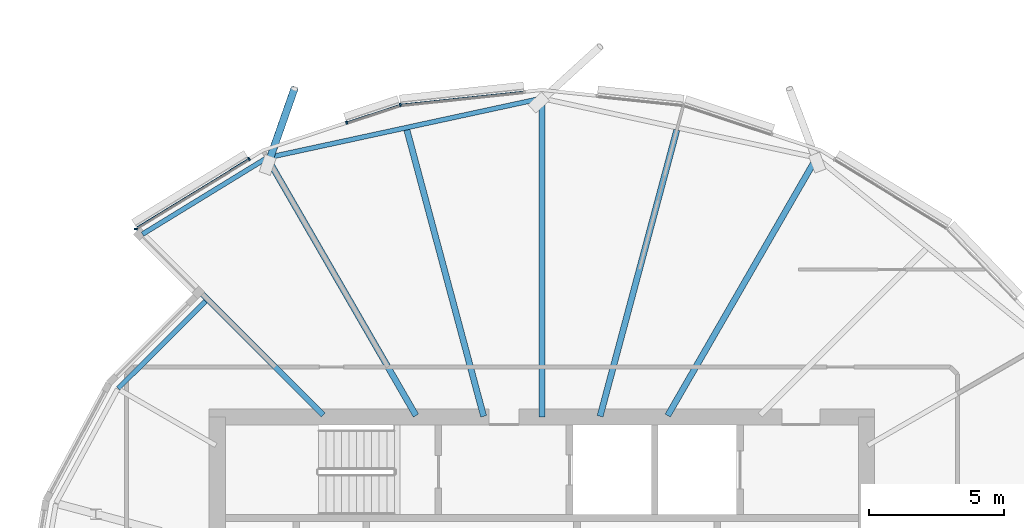
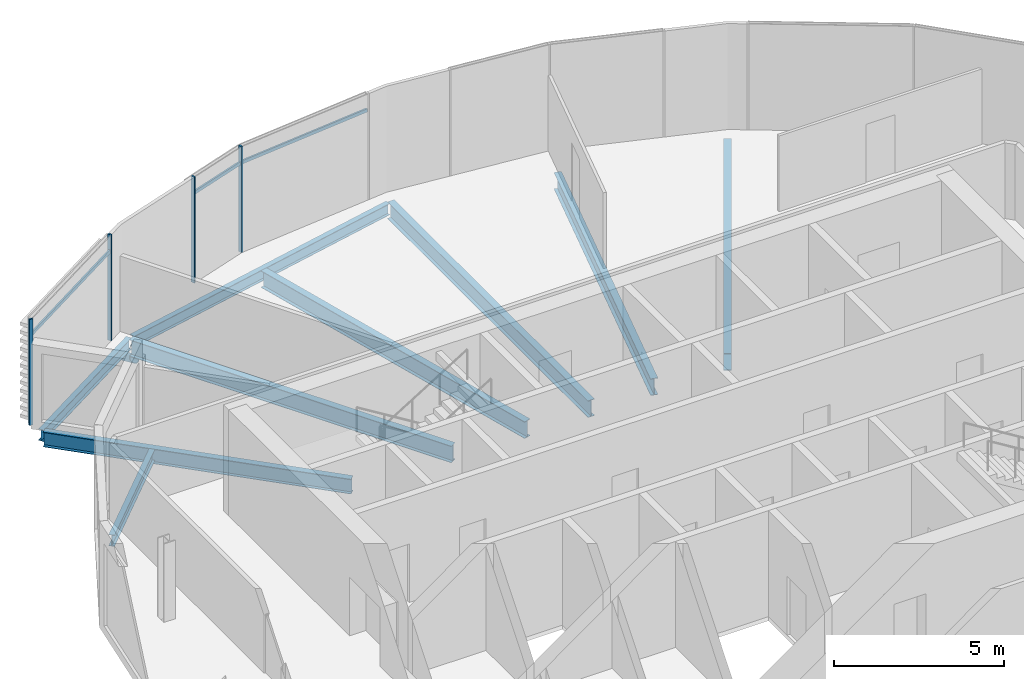
# One storey, part 10 of 37: 9 beams, 8 members, 1 element without a shape of its own.
"""IFC4 building model written with IfcOpenShell, lengths in metres."""

import ifcopenshell
import ifcopenshell.guid

model = None  # the IFC model being written
_history = None  # IfcOwnerHistory: only IFC2X3 demands one
_inside = {}  # id of a spatial element -> (the spatial element, [elements in it])
_under = {}  # id of a project, library or spatial element -> (it, [spatial elements below it])
_declared = {}  # id of a project -> (the project, [libraries it declares])
_typed = {}  # id of a type object -> (the type object, [elements of that type])
_made_of = {}  # id of a material, layer set ... -> (it, [elements and type objects made of it])


def new_model(schema):
    """Start an empty IFC model of exactly this schema.

    Asked for "IFC4X3", IfcOpenShell would pick the latest addendum, in which some entities
    have other attributes; the version numbers below select the first issue.
    IFC2X3 requires an IfcOwnerHistory on every rooted entity: one is made here for all.
    """
    global model, _history
    if schema == "IFC4X3":
        model = ifcopenshell.file(schema_version=(4, 3, 0, 0))
    else:
        model = ifcopenshell.file(schema=schema)
    _inside.clear()
    _under.clear()
    _declared.clear()
    _typed.clear()
    _made_of.clear()
    _history = None
    if model.schema == "IFC2X3":
        org = make("IfcOrganization", Name="unknown")
        user = make(
            "IfcPersonAndOrganization",
            ThePerson=make("IfcPerson", FamilyName="unknown"),
            TheOrganization=org,
        )
        app = make(
            "IfcApplication",
            ApplicationDeveloper=org,
            Version="unknown",
            ApplicationFullName="unknown",
            ApplicationIdentifier="unknown",
        )
        _history = make(
            "IfcOwnerHistory",
            OwningUser=user,
            OwningApplication=app,
            ChangeAction="ADDED",
            CreationDate=0,
        )
    return model


def make(cls, **values):
    """One entity of the class cls with the attributes given. An attribute that is None is left unset."""
    return model.create_entity(
        cls, **{name: value for name, value in values.items() if value is not None}
    )


def rooted(cls, **values):
    """An entity with a GlobalId (a new one), such as an element, a storey or a relation."""
    return make(cls, GlobalId=ifcopenshell.guid.new(), OwnerHistory=_history, **values)


def si_unit(unit_type, name, prefix=None):
    """IfcSIUnit, for example si_unit("LENGTHUNIT", "METRE", prefix="MILLI")."""
    return make("IfcSIUnit", UnitType=unit_type, Prefix=prefix, Name=name)


def assignment(units):
    """IfcUnitAssignment: the units of a project."""
    return None if units is None else make("IfcUnitAssignment", Units=units)


def point(xyz):
    """IfcCartesianPoint."""
    return None if xyz is None else make("IfcCartesianPoint", Coordinates=xyz)


def direction(xyz):
    """IfcDirection."""
    return None if xyz is None else make("IfcDirection", DirectionRatios=xyz)


def frame(location, z_axis=None, x_axis=None):
    """IfcAxis2Placement3D, a coordinate frame: its origin and axes. An axis left out is left unset."""
    return make(
        "IfcAxis2Placement3D",
        Location=point(location),
        Axis=direction(z_axis),
        RefDirection=direction(x_axis),
    )


def frame_2d(location, x_axis=None):
    """IfcAxis2Placement2D, a coordinate frame in the plane: its origin and x axis."""
    return make(
        "IfcAxis2Placement2D", Location=point(location), RefDirection=direction(x_axis)
    )


def origin():
    """The frame at (0, 0, 0) with its axes left unset."""
    return frame((0.0, 0.0, 0.0))


def origin_2d():
    """The frame at (0, 0) in the plane with its x axis left unset."""
    return frame_2d((0.0, 0.0))


def place(relative_to, where):
    """IfcLocalPlacement: puts the frame where relative to a parent placement (None: the world)."""
    return make(
        "IfcLocalPlacement", PlacementRelTo=relative_to, RelativePlacement=where
    )


def context(
    kind, dimensions, precision=None, world=None, true_north=None, identifier=None
):
    """IfcGeometricRepresentationContext, for example the 3D "Model" context."""
    return make(
        "IfcGeometricRepresentationContext",
        ContextIdentifier=identifier,
        ContextType=kind,
        CoordinateSpaceDimension=dimensions,
        Precision=precision,
        WorldCoordinateSystem=world,
        TrueNorth=true_north,
    )


def subcontext(parent, identifier, kind, view, scale=None):
    """IfcGeometricRepresentationSubContext, for example "Body" below "Model"."""
    return make(
        "IfcGeometricRepresentationSubContext",
        ContextIdentifier=identifier,
        ContextType=kind,
        ParentContext=parent,
        TargetScale=scale,
        TargetView=view,
    )


def project(units=None, contexts=None):
    """IfcProject with its units and contexts."""
    return rooted(
        "IfcProject",
        Name="project",
        RepresentationContexts=contexts,
        UnitsInContext=assignment(units),
    )


def spatial(cls, under=None, at=None, **own):
    """A site, building, storey or space (cls), placed at a placement, below another one or the project."""
    s = rooted(cls, ObjectPlacement=at, **own)
    if under is not None:
        _under.setdefault(under.id(), (under, []))[1].append(s)
    return s


def profile(cls, at=None, kind="AREA", **sizes):
    """A parametric profile (cls). Its sizes go by their IFC names, for example OverallWidth=200.0."""
    return make(cls, ProfileType=kind, Position=at, **sizes)


def rectangle(**sizes):
    """IfcRectangleProfileDef."""
    return profile("IfcRectangleProfileDef", **sizes)


def hollow_circle(**sizes):
    """IfcCircleHollowProfileDef."""
    return profile("IfcCircleHollowProfileDef", **sizes)


def i_section(**sizes):
    """IfcIShapeProfileDef."""
    return profile("IfcIShapeProfileDef", **sizes)


def extrude(swept, where, along, depth):
    """IfcExtrudedAreaSolid: the profile swept, set in the frame where, extruded along a direction by depth."""
    return make(
        "IfcExtrudedAreaSolid",
        SweptArea=swept,
        Position=where,
        ExtrudedDirection=direction(along),
        Depth=depth,
    )


def clip(a, b, op="DIFFERENCE"):
    """IfcBooleanClippingResult: the solid a cut by the half space b."""
    return make(
        "IfcBooleanClippingResult", Operator=op, FirstOperand=a, SecondOperand=b
    )


def halfspace(plane, agree):
    """IfcHalfSpaceSolid: all space on one side of the plane z = 0 of the frame plane."""
    return make(
        "IfcHalfSpaceSolid",
        BaseSurface=make("IfcPlane", Position=plane),
        AgreementFlag=agree,
    )


def shape(context_of_items, identifier, shape_type, items):
    """IfcShapeRepresentation: the items that make up one representation, for example the "Body"."""
    return make(
        "IfcShapeRepresentation",
        ContextOfItems=context_of_items,
        RepresentationIdentifier=identifier,
        RepresentationType=shape_type,
        Items=items,
    )


def material(Name=None, Category=None):
    """IfcMaterial."""
    return make("IfcMaterial", Name=Name, Category=Category)


def material_profile(
    of_material, cross_section, Name=None, Category=None, Priority=None
):
    """IfcMaterialProfile: a cross section and its material."""
    return make(
        "IfcMaterialProfile",
        Name=Name,
        Material=of_material,
        Profile=cross_section,
        Priority=Priority,
        Category=Category,
    )


def profile_set(profiles, Name=None, composite=None):
    """IfcMaterialProfileSet."""
    return make(
        "IfcMaterialProfileSet",
        Name=Name,
        MaterialProfiles=profiles,
        CompositeProfile=composite,
    )


def made_of(thing, what):
    """Note that an element or type object is made of a material, layer set ...; save() writes the relation."""
    if what is not None:
        _made_of.setdefault(what.id(), (what, []))[1].append(thing)
    return thing


def type_object(cls, material=None, **own):
    """A type object (cls), such as IfcWallType, which elements share."""
    return made_of(rooted(cls, **own), material)


def element(
    cls,
    number,
    at=None,
    inside=None,
    cuts=None,
    type_object=None,
    material=None,
    context=None,
    identifier="Body",
    shape_type=None,
    held_by="IfcProductDefinitionShape",
    body=None,
    shapes=None,
    **own,
):
    """One element of the class cls, such as IfcWall. Its Tag is "e" and its number.

    at: its placement. inside: the storey or other place that contains it. cuts: it is an
    opening in that element (IfcRelVoidsElement). A single representation is given by context,
    identifier, shape_type and body (its items); several are given by shapes. held_by: the class
    of the entity that holds the representations. save() writes the other relations.
    """
    e = rooted(cls, Tag="e%d" % number, ObjectPlacement=at, **own)
    if body is not None:
        shapes = [shape(context, identifier, shape_type, body)]
    if shapes is not None:
        e.Representation = make(held_by, Representations=shapes)
    if inside is not None:
        _inside.setdefault(inside.id(), (inside, []))[1].append(e)
    if cuts is not None:
        rooted(
            "IfcRelVoidsElement", RelatingBuildingElement=cuts, RelatedOpeningElement=e
        )
    if type_object is not None:
        _typed.setdefault(type_object.id(), (type_object, []))[1].append(e)
    return made_of(e, material)


def aggregate(whole, parts):
    """IfcRelAggregates: a whole, such as a stair, and the parts it consists of."""
    return rooted("IfcRelAggregates", RelatingObject=whole, RelatedObjects=parts)


def save(model, path):
    """Write the relations noted so far, then the file.

    IfcRelAggregates (storeys below a building ...), IfcRelContainedInSpatialStructure (elements
    in a storey), IfcRelDefinesByType, IfcRelAssociatesMaterial and IfcRelDeclares: one each for
    every whole, place, type object, material and project.
    """
    for whole, parts in _under.values():
        aggregate(whole, parts)
    for where, things in _inside.values():
        rooted(
            "IfcRelContainedInSpatialStructure",
            RelatedElements=things,
            RelatingStructure=where,
        )
    for kind, things in _typed.values():
        rooted("IfcRelDefinesByType", RelatedObjects=things, RelatingType=kind)
    for what, things in _made_of.values():
        rooted("IfcRelAssociatesMaterial", RelatedObjects=things, RelatingMaterial=what)
    for by, libraries in _declared.values():
        rooted("IfcRelDeclares", RelatingContext=by, RelatedDefinitions=libraries)
    model.write(path)


model = new_model("IFC4")

# Units and contexts
model_context = context("Model", 3, precision=1e-05, world=origin(), true_north=direction((0.0, 1.0)))
body_context = subcontext(model_context, "Body", "Model", "MODEL_VIEW")
ifc_project = project(units=[si_unit("LENGTHUNIT", "METRE"), si_unit("AREAUNIT", "SQUARE_METRE"), si_unit("VOLUMEUNIT", "CUBIC_METRE"), si_unit("PLANEANGLEUNIT", "RADIAN"), si_unit("MASSUNIT", "GRAM", prefix="KILO")], contexts=[model_context])

# Site, building, storey
site_placement = place(None, origin())
site = spatial("IfcSite", under=ifc_project, at=site_placement, CompositionType="ELEMENT")
building_placement = place(site_placement, origin())
building = spatial("IfcBuilding", under=site, at=building_placement, Name="Rimbun Link Towers", CompositionType="ELEMENT")
storey_placement = place(building_placement, frame((0.0, 0.0, 166.5)))
storey = spatial("IfcBuildingStorey", under=building, at=storey_placement, Name="L40", CompositionType="ELEMENT", Elevation=166.5)

# Curtain wall, members
ifc_material_1 = material(Name="Aluminium 6063-T6 and low-iron glass", Category="aluminium")
curtain_wall_type = type_object("IfcCurtainWallType", Name="CW1-Z3 unitised vision wall (zone 3)", PredefinedType="NOTDEFINED", material=ifc_material_1)
curtain_wall_placement = place(storey_placement, origin())
curtain_wall = element("IfcCurtainWall", 1, at=curtain_wall_placement, inside=storey, type_object=curtain_wall_type, Name="CW1 L40 T1", PredefinedType="NOTDEFINED")
ifc_material_2 = material(Name="Aluminium 6063-T6", Category="aluminium")
ifc_material_profile_1 = material_profile(ifc_material_2, rectangle(XDim=0.1201171875, YDim=0.06005859375, at=origin_2d()), Name="MULLION 60X120")
ifc_profile_set_1 = profile_set([ifc_material_profile_1], Name="Aluminium 6063-T6")
member_type_1 = type_object("IfcMemberType", Name="CW1 mullion 60X120", PredefinedType="MULLION", material=ifc_profile_set_1)
member_1_placement = place(storey_placement, frame((-36.98291015625, 19.541015625, 0.0), z_axis=(0.0, 0.0, 1.0), x_axis=(-0.210865888506, 0.977515000941, 0.0)))
member_1 = element("IfcMember", 2, at=member_1_placement, type_object=member_type_1, Name="CW1 mullion", PredefinedType="MULLION", context=body_context, shape_type="SweptSolid", body=[
    extrude(rectangle(XDim=0.1201171875, YDim=0.06005859375, at=origin_2d()), origin(), (0.0, 0.0, 1.0), 3.800048828125),
])
member_2_placement = place(storey_placement, frame((-38.9638671875, 18.884765625, 0.0), z_axis=(0.0, 0.0, 1.0), x_axis=(-0.314555722988, 0.949239009489, 0.0)))
member_2 = element("IfcMember", 3, at=member_2_placement, type_object=member_type_1, Name="CW1 mullion", PredefinedType="MULLION", context=body_context, shape_type="SweptSolid", body=[
    extrude(rectangle(XDim=0.1201171875, YDim=0.06005859375, at=origin_2d()), origin(), (0.0, 0.0, 1.0), 3.800048828125),
])
member_3_placement = place(storey_placement, frame((-46.752197265625, 14.94970703125, 0.0), z_axis=(0.0, 0.0, 1.0), x_axis=(-0.993120151139, 0.117099809568, 0.0)))
member_3 = element("IfcMember", 4, at=member_3_placement, type_object=member_type_1, Name="CW1 mullion", PredefinedType="MULLION", context=body_context, shape_type="SweptSolid", body=[
    extrude(rectangle(XDim=0.1201171875, YDim=0.06005859375, at=origin_2d()), origin(), (0.0, 0.0, 1.0), 3.800048828125),
])
member_4_placement = place(storey_placement, frame((-42.57275390625, 17.542724609375, 0.0), z_axis=(0.0, 0.0, 1.0), x_axis=(-0.523249760653, 0.85217937547, 0.0)))
member_4 = element("IfcMember", 5, at=member_4_placement, type_object=member_type_1, Name="CW1 mullion", PredefinedType="MULLION", context=body_context, shape_type="SweptSolid", body=[
    extrude(rectangle(XDim=0.1201171875, YDim=0.06005859375, at=origin_2d()), origin(), (0.0, 0.0, 1.0), 3.800048828125),
])
ifc_material_3 = material(Name="Aluminium 6063-T6", Category="aluminium")
ifc_material_profile_2 = material_profile(ifc_material_3, rectangle(XDim=0.06005859375, YDim=0.1201171875, at=origin_2d()), Name="TRANSOM 60X120")
ifc_profile_set_2 = profile_set([ifc_material_profile_2], Name="Aluminium 6063-T6")
member_type_2 = type_object("IfcMemberType", Name="CW1 transom 60X120", PredefinedType="USERDEFINED", material=ifc_profile_set_2)
member_5_placement = place(storey_placement, frame((-36.946533203125, 19.543212890625, 3.199951171875), z_axis=(0.99450162093, 0.104721182042, 0.0), x_axis=(-0.104721182042, 0.99450162093, 0.0)))
member_5 = element("IfcMember", 6, at=member_5_placement, type_object=member_type_2, Name="CW1 transom", ObjectType="TRANSOM", PredefinedType="USERDEFINED", context=body_context, shape_type="SweptSolid", body=[
    extrude(rectangle(XDim=0.06005859375, YDim=0.1201171875, at=origin_2d()), origin(), (0.0, 0.0, 1.0), 4.5390625),
])
member_6_placement = place(storey_placement, frame((-38.934814453125, 18.892333984375, 3.199951171875), z_axis=(0.949237719427, 0.314559615999, 0.0), x_axis=(-0.314559615999, 0.949237719427, 0.0)))
member_6 = element("IfcMember", 7, at=member_6_placement, type_object=member_type_2, Name="CW1 transom", ObjectType="TRANSOM", PredefinedType="USERDEFINED", context=body_context, shape_type="SweptSolid", body=[
    extrude(rectangle(XDim=0.06005859375, YDim=0.1201171875, at=origin_2d()), origin(), (0.0, 0.0, 1.0), 2.020263671875),
])
member_7_placement = place(storey_placement, frame((-46.697509765625, 15.0078125, 3.199951171875), z_axis=(0.852173607466, 0.523259154471, 0.0), x_axis=(-0.523259154471, 0.852173607466, 0.0)))
member_7 = element("IfcMember", 8, at=member_7_placement, type_object=member_type_2, Name="CW1 transom", ObjectType="TRANSOM", PredefinedType="USERDEFINED", context=body_context, shape_type="SweptSolid", body=[
    extrude(rectangle(XDim=0.06005859375, YDim=0.1201171875, at=origin_2d()), origin(), (0.0, 0.0, 1.0), 4.811279296875),
])
aggregate(curtain_wall, [member_1, member_2, member_3, member_4, member_5, member_6, member_7])

# Member
ifc_material_4 = material(Name="Steel S355J2H", Category="steel")
ifc_material_profile_3 = material_profile(ifc_material_4, hollow_circle(Radius=0.136474609375, WallThickness=0.012451171875, at=origin_2d()), Name="CHS 273x12.5")
ifc_profile_set_3 = profile_set([ifc_material_profile_3], Name="Steel S355J2H")
member_type_3 = type_object("IfcMemberType", Name="Floor edge link CHS 273x12.5", PredefinedType="BRACE", material=ifc_profile_set_3)
member_8_placement = place(storey_placement, frame((-41.83251953125, 17.46337890625, -0.8681640625), z_axis=(0.280244736485, 0.798127718827, -0.53334325918), x_axis=(-0.943526121508, 0.331298140701, 0.0)))
element("IfcMember", 9, at=member_8_placement, inside=storey, type_object=member_type_3, Name="Floor edge link T1 L40 08", PredefinedType="BRACE", context=body_context, shape_type="Clipping", body=[
    clip(extrude(hollow_circle(Radius=0.136474609375, WallThickness=0.012451171875, at=origin_2d()), frame((0.0, 0.0, -0.451904296875)), (0.0, 0.0, 1.0), 3.8154296875), halfspace(frame((0.0, 0.0, -0.212890625), z_axis=(0.0, 0.845898911152, -0.53334325918)), False)),
])

# Beams
ifc_material_5 = material(Name="Steel S355J2", Category="steel")
ifc_material_profile_4 = material_profile(ifc_material_5, i_section(OverallWidth=0.177978515625, OverallDepth=0.406494140625, WebThickness=0.0078125, FlangeThickness=0.0126953125, at=origin_2d()), Name="UB 406x178x60")
ifc_profile_set_4 = profile_set([ifc_material_profile_4], Name="Steel S355J2")
beam_type_1 = type_object("IfcBeamType", Name="UB 406x178x60", PredefinedType="BEAM", material=ifc_profile_set_4)
beam_1_placement = place(storey_placement, frame((-31.86474609375, 19.755859375, -0.353271484375), z_axis=(-0.977395763905, -0.211417881693, 0.0), x_axis=(0.211417881693, -0.977395763905, 0.0)))
element("IfcBeam", 10, at=beam_1_placement, inside=storey, type_object=beam_type_1, Name="Edge beam T1 L40 06-08", PredefinedType="BEAM", context=body_context, shape_type="SweptSolid", body=[
    extrude(i_section(OverallWidth=0.177978515625, OverallDepth=0.406494140625, WebThickness=0.0078125, FlangeThickness=0.0126953125, at=origin_2d()), origin(), (0.0, 0.0, 1.0), 10.1494140625),
])
beam_2_placement = place(storey_placement, frame((-41.9033203125, 17.583984375, -0.353271484375), z_axis=(-0.852679179297, -0.522434892779, 0.0), x_axis=(0.522434892779, -0.852679179297, 0.0)))
element("IfcBeam", 11, at=beam_2_placement, inside=storey, type_object=beam_type_1, Name="Edge beam T1 L40 08", PredefinedType="BEAM", context=body_context, shape_type="SweptSolid", body=[
    extrude(i_section(OverallWidth=0.177978515625, OverallDepth=0.406494140625, WebThickness=0.0078125, FlangeThickness=0.0126953125, at=origin_2d()), origin(), (0.0, 0.0, 1.0), 5.402587890625),
])
beam_3_placement = place(storey_placement, frame((-44.1806640625, 12.281005859375, -0.353271484375), z_axis=(-0.707962194469, -0.706250331825, 0.0), x_axis=(0.706250331825, -0.707962194469, 0.0)))
element("IfcBeam", 12, at=beam_3_placement, inside=storey, type_object=beam_type_1, Name="Edge beam T1 L40 09 recess", PredefinedType="BEAM", context=body_context, shape_type="SweptSolid", body=[
    extrude(i_section(OverallWidth=0.177978515625, OverallDepth=0.406494140625, WebThickness=0.0078125, FlangeThickness=0.0126953125, at=origin_2d()), origin(), (0.0, 0.0, 1.0), 4.563720703125),
])
ifc_material_6 = material(Name="Steel S355J2", Category="steel")
ifc_material_profile_5 = material_profile(ifc_material_6, i_section(OverallWidth=0.209228515625, OverallDepth=0.533203125, WebThickness=0.010009765625, FlangeThickness=0.015625, at=origin_2d()), Name="UB 533x210x92")
ifc_profile_set_5 = profile_set([ifc_material_profile_5], Name="Steel S355J2")
beam_type_2 = type_object("IfcBeamType", Name="UB 533x210x92", PredefinedType="BEAM", material=ifc_profile_set_5)
beam_4_placement = place(storey_placement, frame((-39.82470703125, 8.07470703125, -0.41650390625), z_axis=(-0.707106781187, 0.707106781187, 0.0), x_axis=(-0.707106781187, -0.707106781187, 0.0)))
element("IfcBeam", 13, at=beam_4_placement, inside=storey, type_object=beam_type_2, Name="Radial beam T1 L40 09", PredefinedType="BEAM", context=body_context, shape_type="SweptSolid", body=[
    extrude(i_section(OverallWidth=0.209228515625, OverallDepth=0.533203125, WebThickness=0.010009765625, FlangeThickness=0.015625, at=origin_2d()), origin(), (0.0, 0.0, 1.0), 9.36328125),
])
ifc_material_7 = material(Name="Steel S355J2", Category="steel")
ifc_material_profile_6 = material_profile(ifc_material_7, i_section(OverallWidth=0.2275390625, OverallDepth=0.6025390625, WebThickness=0.010498046875, FlangeThickness=0.014892578125, at=origin_2d()), Name="UB 610x229x101")
ifc_profile_set_6 = profile_set([ifc_material_profile_6], Name="Steel S355J2")
beam_type_3 = type_object("IfcBeamType", Name="UB 610x229x101", PredefinedType="BEAM", material=ifc_profile_set_6)
beam_5_placement = place(storey_placement, frame((-27.097900390625, 8.057861328125, -0.451416015625), z_axis=(0.500003581172, 0.866023336184, 0.0), x_axis=(-0.866023336184, 0.500003581172, 0.0)))
element("IfcBeam", 14, at=beam_5_placement, inside=storey, type_object=beam_type_3, Name="Radial beam T1 L40 04", PredefinedType="BEAM", context=body_context, shape_type="SweptSolid", body=[
    extrude(i_section(OverallWidth=0.2275390625, OverallDepth=0.6025390625, WebThickness=0.010498046875, FlangeThickness=0.014892578125, at=origin_2d()), origin(), (0.0, 0.0, 1.0), 11.00048828125),
])
beam_6_placement = place(storey_placement, frame((-29.598388671875, 8.030517578125, -0.451416015625), z_axis=(0.258833388669, 0.965921982828, 0.0), x_axis=(-0.965921982828, 0.258833388669, 0.0)))
element("IfcBeam", 15, at=beam_6_placement, inside=storey, type_object=beam_type_3, Name="Radial beam T1 L40 05", PredefinedType="BEAM", context=body_context, shape_type="SweptSolid", body=[
    extrude(i_section(OverallWidth=0.2275390625, OverallDepth=0.6025390625, WebThickness=0.010498046875, FlangeThickness=0.014892578125, at=origin_2d()), origin(), (0.0, 0.0, 1.0), 10.952880859375),
])
beam_7_placement = place(storey_placement, frame((-31.75, 8.0009765625, -0.451416015625), z_axis=(0.0, 1.0, 0.0), x_axis=(-1.0, 0.0, 0.0)))
element("IfcBeam", 16, at=beam_7_placement, inside=storey, type_object=beam_type_3, Name="Radial beam T1 L40 06", PredefinedType="BEAM", context=body_context, shape_type="SweptSolid", body=[
    extrude(i_section(OverallWidth=0.2275390625, OverallDepth=0.6025390625, WebThickness=0.010498046875, FlangeThickness=0.014892578125, at=origin_2d()), origin(), (0.0, 0.0, 1.0), 11.77978515625),
])
beam_8_placement = place(storey_placement, frame((-33.901611328125, 8.030517578125, -0.451416015625), z_axis=(-0.258833388669, 0.965921982828, 0.0), x_axis=(-0.965921982828, -0.258833388669, 0.0)))
element("IfcBeam", 17, at=beam_8_placement, inside=storey, type_object=beam_type_3, Name="Radial beam T1 L40 07", PredefinedType="BEAM", context=body_context, shape_type="SweptSolid", body=[
    extrude(i_section(OverallWidth=0.2275390625, OverallDepth=0.6025390625, WebThickness=0.010498046875, FlangeThickness=0.014892578125, at=origin_2d()), origin(), (0.0, 0.0, 1.0), 10.952880859375),
])
beam_9_placement = place(storey_placement, frame((-36.402099609375, 8.057861328125, -0.451416015625), z_axis=(-0.500006543176, 0.866021626047, 0.0), x_axis=(-0.866021626047, -0.500006543176, 0.0)))
element("IfcBeam", 18, at=beam_9_placement, inside=storey, type_object=beam_type_3, Name="Radial beam T1 L40 08", PredefinedType="BEAM", context=body_context, shape_type="SweptSolid", body=[
    extrude(i_section(OverallWidth=0.2275390625, OverallDepth=0.6025390625, WebThickness=0.010498046875, FlangeThickness=0.014892578125, at=origin_2d()), origin(), (0.0, 0.0, 1.0), 10.910400390625),
])

save(model, "model.ifc")
